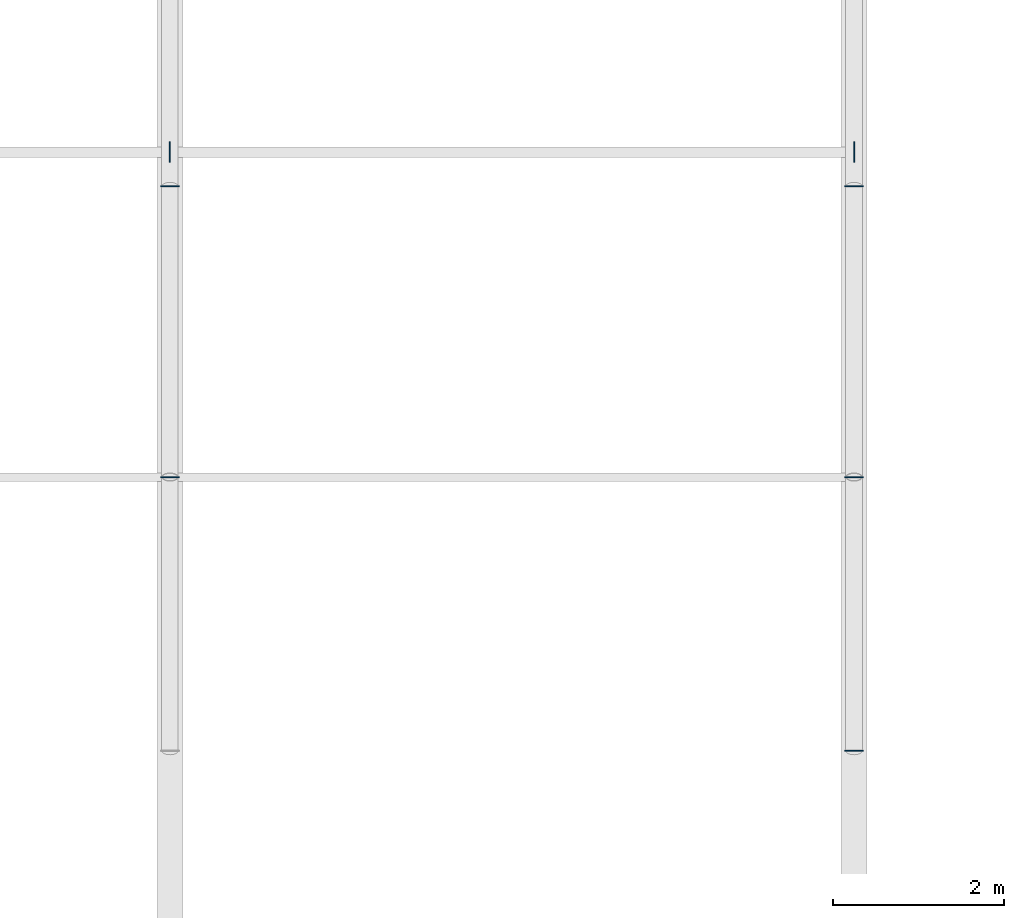
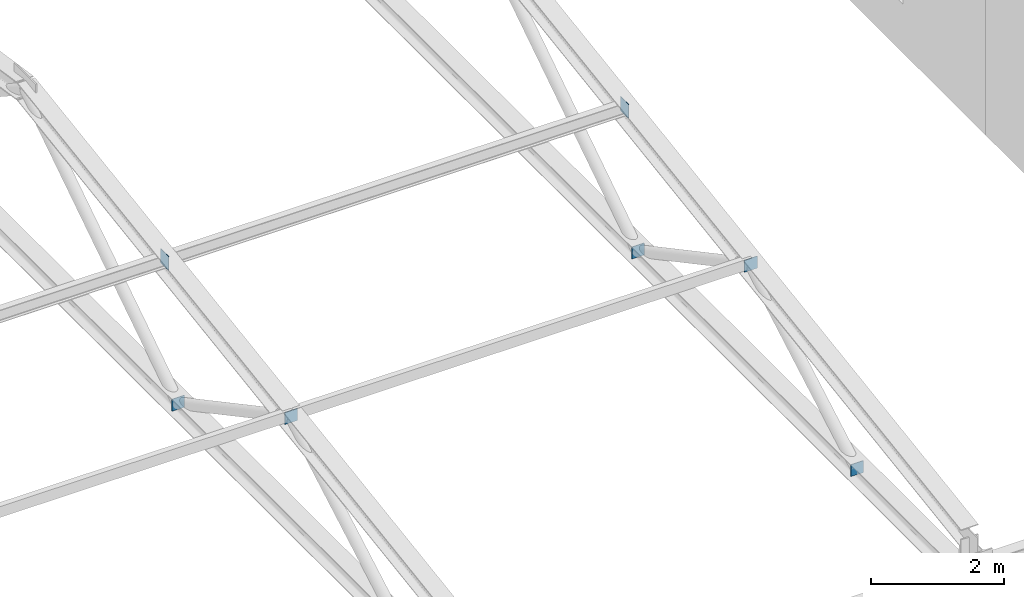
# One storey, part 37 of 75: 7 plates.
"""IFC4 building model written with IfcOpenShell, lengths in metres."""

import ifcopenshell
import ifcopenshell.guid

model = None  # the IFC model being written
_history = None  # IfcOwnerHistory: only IFC2X3 demands one
_inside = {}  # id of a spatial element -> (the spatial element, [elements in it])
_under = {}  # id of a project, library or spatial element -> (it, [spatial elements below it])
_declared = {}  # id of a project -> (the project, [libraries it declares])
_typed = {}  # id of a type object -> (the type object, [elements of that type])
_made_of = {}  # id of a material, layer set ... -> (it, [elements and type objects made of it])


def new_model(schema):
    """Start an empty IFC model of exactly this schema.

    Asked for "IFC4X3", IfcOpenShell would pick the latest addendum, in which some entities
    have other attributes; the version numbers below select the first issue.
    IFC2X3 requires an IfcOwnerHistory on every rooted entity: one is made here for all.
    """
    global model, _history
    if schema == "IFC4X3":
        model = ifcopenshell.file(schema_version=(4, 3, 0, 0))
    else:
        model = ifcopenshell.file(schema=schema)
    _inside.clear()
    _under.clear()
    _declared.clear()
    _typed.clear()
    _made_of.clear()
    _history = None
    if model.schema == "IFC2X3":
        org = make("IfcOrganization", Name="unknown")
        user = make(
            "IfcPersonAndOrganization",
            ThePerson=make("IfcPerson", FamilyName="unknown"),
            TheOrganization=org,
        )
        app = make(
            "IfcApplication",
            ApplicationDeveloper=org,
            Version="unknown",
            ApplicationFullName="unknown",
            ApplicationIdentifier="unknown",
        )
        _history = make(
            "IfcOwnerHistory",
            OwningUser=user,
            OwningApplication=app,
            ChangeAction="ADDED",
            CreationDate=0,
        )
    return model


def make(cls, **values):
    """One entity of the class cls with the attributes given. An attribute that is None is left unset."""
    return model.create_entity(
        cls, **{name: value for name, value in values.items() if value is not None}
    )


def rooted(cls, **values):
    """An entity with a GlobalId (a new one), such as an element, a storey or a relation."""
    return make(cls, GlobalId=ifcopenshell.guid.new(), OwnerHistory=_history, **values)


def si_unit(unit_type, name, prefix=None):
    """IfcSIUnit, for example si_unit("LENGTHUNIT", "METRE", prefix="MILLI")."""
    return make("IfcSIUnit", UnitType=unit_type, Prefix=prefix, Name=name)


def assignment(units):
    """IfcUnitAssignment: the units of a project."""
    return None if units is None else make("IfcUnitAssignment", Units=units)


def point(xyz):
    """IfcCartesianPoint."""
    return None if xyz is None else make("IfcCartesianPoint", Coordinates=xyz)


def direction(xyz):
    """IfcDirection."""
    return None if xyz is None else make("IfcDirection", DirectionRatios=xyz)


def frame(location, z_axis=None, x_axis=None):
    """IfcAxis2Placement3D, a coordinate frame: its origin and axes. An axis left out is left unset."""
    return make(
        "IfcAxis2Placement3D",
        Location=point(location),
        Axis=direction(z_axis),
        RefDirection=direction(x_axis),
    )


def frame_2d(location, x_axis=None):
    """IfcAxis2Placement2D, a coordinate frame in the plane: its origin and x axis."""
    return make(
        "IfcAxis2Placement2D", Location=point(location), RefDirection=direction(x_axis)
    )


def origin():
    """The frame at (0, 0, 0) with its axes left unset."""
    return frame((0.0, 0.0, 0.0))


def origin_2d():
    """The frame at (0, 0) in the plane with its x axis left unset."""
    return frame_2d((0.0, 0.0))


def place(relative_to, where):
    """IfcLocalPlacement: puts the frame where relative to a parent placement (None: the world)."""
    return make(
        "IfcLocalPlacement", PlacementRelTo=relative_to, RelativePlacement=where
    )


def context(
    kind, dimensions, precision=None, world=None, true_north=None, identifier=None
):
    """IfcGeometricRepresentationContext, for example the 3D "Model" context."""
    return make(
        "IfcGeometricRepresentationContext",
        ContextIdentifier=identifier,
        ContextType=kind,
        CoordinateSpaceDimension=dimensions,
        Precision=precision,
        WorldCoordinateSystem=world,
        TrueNorth=true_north,
    )


def subcontext(parent, identifier, kind, view, scale=None):
    """IfcGeometricRepresentationSubContext, for example "Body" below "Model"."""
    return make(
        "IfcGeometricRepresentationSubContext",
        ContextIdentifier=identifier,
        ContextType=kind,
        ParentContext=parent,
        TargetScale=scale,
        TargetView=view,
    )


def project(units=None, contexts=None):
    """IfcProject with its units and contexts."""
    return rooted(
        "IfcProject",
        Name="project",
        RepresentationContexts=contexts,
        UnitsInContext=assignment(units),
    )


def spatial(cls, under=None, at=None, **own):
    """A site, building, storey or space (cls), placed at a placement, below another one or the project."""
    s = rooted(cls, ObjectPlacement=at, **own)
    if under is not None:
        _under.setdefault(under.id(), (under, []))[1].append(s)
    return s


def profile(cls, at=None, kind="AREA", **sizes):
    """A parametric profile (cls). Its sizes go by their IFC names, for example OverallWidth=200.0."""
    return make(cls, ProfileType=kind, Position=at, **sizes)


def rectangle(**sizes):
    """IfcRectangleProfileDef."""
    return profile("IfcRectangleProfileDef", **sizes)


def extrude(swept, where, along, depth):
    """IfcExtrudedAreaSolid: the profile swept, set in the frame where, extruded along a direction by depth."""
    return make(
        "IfcExtrudedAreaSolid",
        SweptArea=swept,
        Position=where,
        ExtrudedDirection=direction(along),
        Depth=depth,
    )


def shape(context_of_items, identifier, shape_type, items):
    """IfcShapeRepresentation: the items that make up one representation, for example the "Body"."""
    return make(
        "IfcShapeRepresentation",
        ContextOfItems=context_of_items,
        RepresentationIdentifier=identifier,
        RepresentationType=shape_type,
        Items=items,
    )


def material(Name=None, Category=None):
    """IfcMaterial."""
    return make("IfcMaterial", Name=Name, Category=Category)


def layer(
    of_material, thickness, ventilated=None, Name=None, Category=None, Priority=None
):
    """IfcMaterialLayer: one layer of a wall or slab, of a material (None: an air gap)."""
    return make(
        "IfcMaterialLayer",
        Material=of_material,
        LayerThickness=thickness,
        IsVentilated=ventilated,
        Name=Name,
        Category=Category,
        Priority=Priority,
    )


def layer_set(layers, Name=None):
    """IfcMaterialLayerSet."""
    return make("IfcMaterialLayerSet", MaterialLayers=layers, LayerSetName=Name)


def made_of(thing, what):
    """Note that an element or type object is made of a material, layer set ...; save() writes the relation."""
    if what is not None:
        _made_of.setdefault(what.id(), (what, []))[1].append(thing)
    return thing


def type_object(cls, material=None, **own):
    """A type object (cls), such as IfcWallType, which elements share."""
    return made_of(rooted(cls, **own), material)


def element(
    cls,
    number,
    at=None,
    inside=None,
    cuts=None,
    type_object=None,
    material=None,
    context=None,
    identifier="Body",
    shape_type=None,
    held_by="IfcProductDefinitionShape",
    body=None,
    shapes=None,
    **own,
):
    """One element of the class cls, such as IfcWall. Its Tag is "e" and its number.

    at: its placement. inside: the storey or other place that contains it. cuts: it is an
    opening in that element (IfcRelVoidsElement). A single representation is given by context,
    identifier, shape_type and body (its items); several are given by shapes. held_by: the class
    of the entity that holds the representations. save() writes the other relations.
    """
    e = rooted(cls, Tag="e%d" % number, ObjectPlacement=at, **own)
    if body is not None:
        shapes = [shape(context, identifier, shape_type, body)]
    if shapes is not None:
        e.Representation = make(held_by, Representations=shapes)
    if inside is not None:
        _inside.setdefault(inside.id(), (inside, []))[1].append(e)
    if cuts is not None:
        rooted(
            "IfcRelVoidsElement", RelatingBuildingElement=cuts, RelatedOpeningElement=e
        )
    if type_object is not None:
        _typed.setdefault(type_object.id(), (type_object, []))[1].append(e)
    return made_of(e, material)


def aggregate(whole, parts):
    """IfcRelAggregates: a whole, such as a stair, and the parts it consists of."""
    return rooted("IfcRelAggregates", RelatingObject=whole, RelatedObjects=parts)


def save(model, path):
    """Write the relations noted so far, then the file.

    IfcRelAggregates (storeys below a building ...), IfcRelContainedInSpatialStructure (elements
    in a storey), IfcRelDefinesByType, IfcRelAssociatesMaterial and IfcRelDeclares: one each for
    every whole, place, type object, material and project.
    """
    for whole, parts in _under.values():
        aggregate(whole, parts)
    for where, things in _inside.values():
        rooted(
            "IfcRelContainedInSpatialStructure",
            RelatedElements=things,
            RelatingStructure=where,
        )
    for kind, things in _typed.values():
        rooted("IfcRelDefinesByType", RelatedObjects=things, RelatingType=kind)
    for what, things in _made_of.values():
        rooted("IfcRelAssociatesMaterial", RelatedObjects=things, RelatingMaterial=what)
    for by, libraries in _declared.values():
        rooted("IfcRelDeclares", RelatingContext=by, RelatedDefinitions=libraries)
    model.write(path)


model = new_model("IFC4")

# Units and contexts
model_context = context("Model", 3, precision=1e-05, world=origin(), true_north=direction((0.0, 1.0)))
body_context = subcontext(model_context, "Body", "Model", "MODEL_VIEW")
ifc_project = project(units=[si_unit("LENGTHUNIT", "METRE"), si_unit("AREAUNIT", "SQUARE_METRE"), si_unit("VOLUMEUNIT", "CUBIC_METRE"), si_unit("PLANEANGLEUNIT", "RADIAN"), si_unit("MASSUNIT", "GRAM", prefix="KILO")], contexts=[model_context])

# Site, building, storey
site_placement = place(None, origin())
site = spatial("IfcSite", under=ifc_project, at=site_placement, CompositionType="ELEMENT")
building_placement = place(site_placement, origin())
building = spatial("IfcBuilding", under=site, at=building_placement, Name="Valkorina Park Police Headquarters", CompositionType="ELEMENT")
storey_placement = place(building_placement, frame((0.0, 0.0, 5.39990234375)))
storey = spatial("IfcBuildingStorey", under=building, at=storey_placement, Name="L02", CompositionType="ELEMENT", Elevation=5.39990234375)

# Plates
ifc_material = material(Name="Steel S355", Category="steel")
ifc_layer = layer(ifc_material, 0.011962890625)
ifc_layer_set = layer_set([ifc_layer], Name="Steel S355")
plate_type = type_object("IfcPlateType", Name="PL-ENDCAP-12", PredefinedType="USERDEFINED", material=ifc_layer_set)
for number, where, z_axis, x_axis, name in (
    (1, (144.800048828125, 88.199951171875, 5.41015625), (0.0, 0.0, 1.0), (1.0, 0.0, 0.0), "CHS Hollow End Cap Plate 105"),
    (2, (144.800048828125, 91.60009765625, 3.59033203125), (0.0, 0.0, 1.0), (1.0, 0.0, 0.0), "CHS Hollow End Cap Plate 106"),
    (3, (152.800048828125, 85.0, 3.59033203125), (0.0, 0.0, 1.0), (1.0, 0.0, 0.0), "CHS Hollow End Cap Plate 113"),
    (4, (152.800048828125, 88.199951171875, 5.41015625), (0.0, 0.0, 1.0), (1.0, 0.0, 0.0), "CHS Hollow End Cap Plate 114"),
    (5, (152.800048828125, 91.60009765625, 3.59033203125), (0.0, 0.0, 1.0), (1.0, 0.0, 0.0), "CHS Hollow End Cap Plate 115"),
):
    element("IfcPlate", number, at=place(storey_placement, frame(where, z_axis=z_axis, x_axis=x_axis)), inside=storey, type_object=plate_type, Name=name, ObjectType="END CAP PLATE", PredefinedType="USERDEFINED", context=body_context, shape_type="SweptSolid", body=[
        extrude(rectangle(XDim=0.219970703125, YDim=0.011962890625, at=origin_2d()), origin(), (0.0, 0.0, 1.0), 0.219970703125),
    ])
for number, where, z_axis, x_axis, name in (
    (6, (144.800048828125, 92.0, 5.97021484375), (0.0, 0.0, 1.0), (1.0, 0.0, 0.0), "V3 Purlin Cleat End Plate 123"),
    (7, (152.800048828125, 92.0, 5.97021484375), (0.0, 0.0, 1.0), (1.0, 0.0, 0.0), "V3 Purlin Cleat End Plate 125"),
):
    element("IfcPlate", number, at=place(storey_placement, frame(where, z_axis=z_axis, x_axis=x_axis)), inside=storey, type_object=plate_type, Name=name, ObjectType="END CAP PLATE", PredefinedType="USERDEFINED", context=body_context, shape_type="SweptSolid", body=[
        extrude(rectangle(XDim=0.011962890625, YDim=0.239990234375, at=origin_2d()), origin(), (0.0, 0.0, 1.0), 0.260009765625),
    ])

save(model, "model.ifc")
